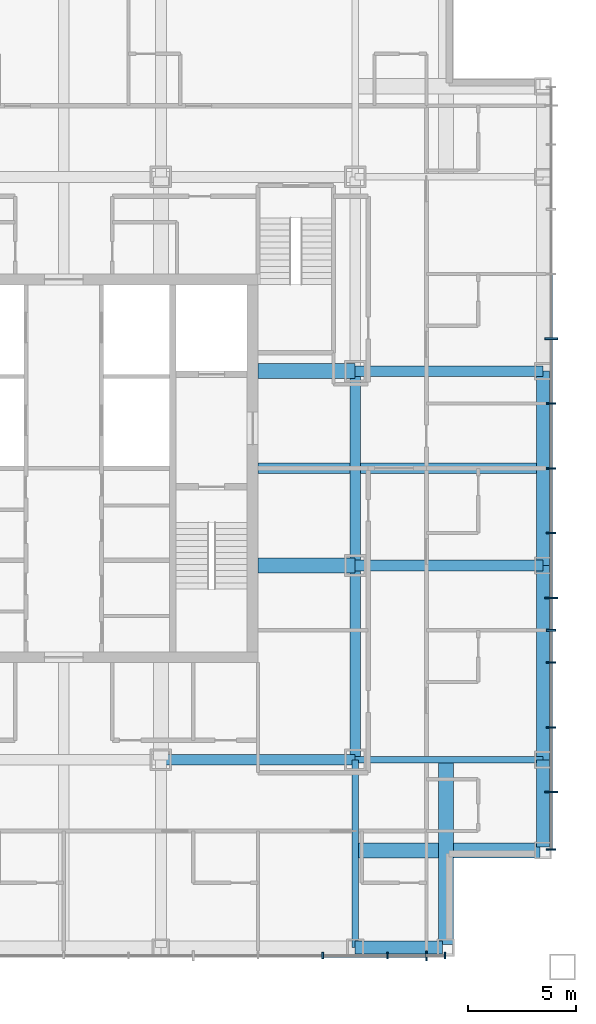
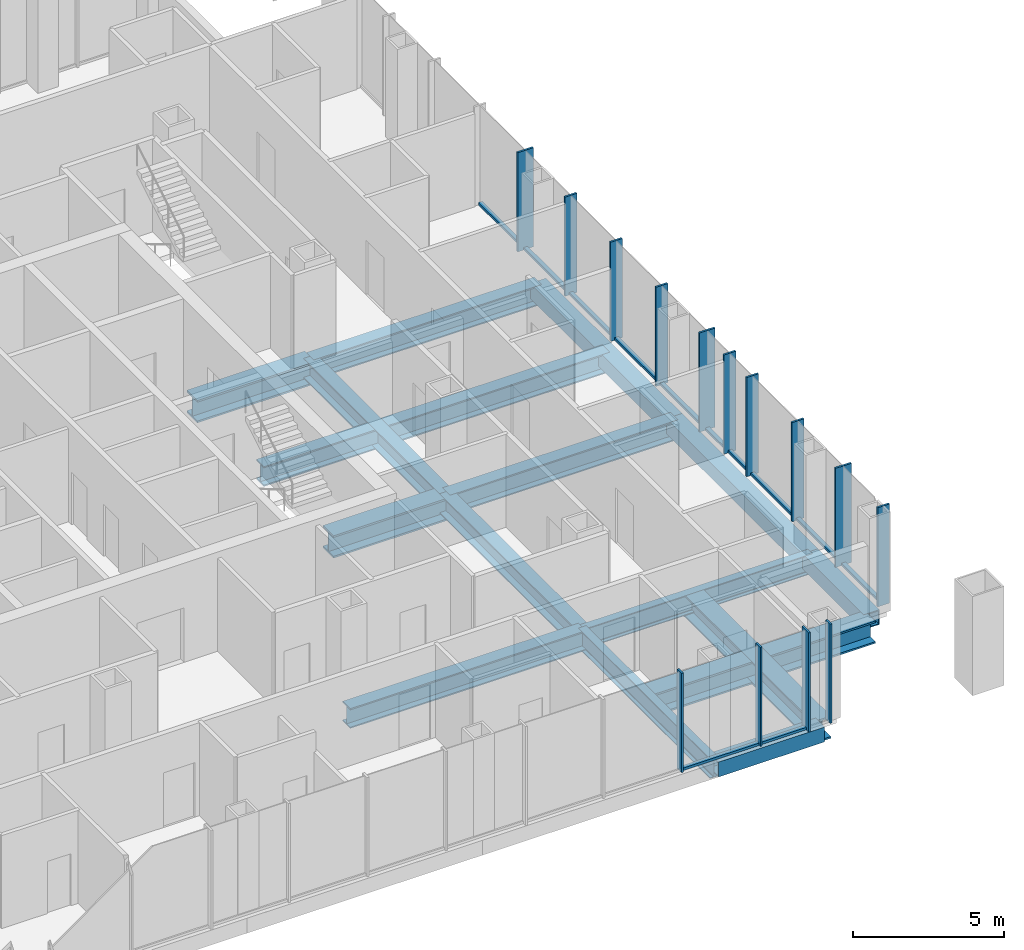
# One storey, part 3 of 11: 26 members, 16 beams, 2 elements without a shape of their own.
"""IFC4 building model written with IfcOpenShell, lengths in metres."""

from ifc_helpers import new_model, si_unit, direction, frame, origin, origin_2d, place, context, subcontext, project, spatial, rectangle, hollow_rectangle, i_section, extrude, material, layer, layer_set, material_profile, profile_set, type_object, element, aggregate, save


model = new_model("IFC4")

# Units and contexts
model_context = context("Model", 3, precision=1e-05, world=origin(), true_north=direction((0.0, 1.0)))
body_context = subcontext(model_context, "Body", "Model", "MODEL_VIEW")
ifc_project = project(units=[si_unit("LENGTHUNIT", "METRE"), si_unit("AREAUNIT", "SQUARE_METRE"), si_unit("VOLUMEUNIT", "CUBIC_METRE"), si_unit("PLANEANGLEUNIT", "RADIAN"), si_unit("MASSUNIT", "GRAM", prefix="KILO")], contexts=[model_context])

# Site, building, storey
site_placement = place(None, origin())
site = spatial("IfcSite", under=ifc_project, at=site_placement, CompositionType="ELEMENT")
building_placement = place(site_placement, origin())
building = spatial("IfcBuilding", under=site, at=building_placement, Name="Malebo Sky Hospital", CompositionType="ELEMENT")
storey_placement = place(building_placement, frame((0.0, 0.0, 213.0)))
storey = spatial("IfcBuildingStorey", under=building, at=storey_placement, Name="L51", CompositionType="ELEMENT", Elevation=213.0)

# Curtain wall, members
ifc_material_1 = material(Name="Anodised aluminium, natural silver", Category="aluminium")
ifc_layer_1 = layer(ifc_material_1, 0.25)
ifc_layer_set_1 = layer_set([ifc_layer_1], Name="WARD CURTAIN WALL NORTH AND SOUTH")
curtain_wall_type_1 = type_object("IfcCurtainWallType", Name="WARD CURTAIN WALL NORTH AND SOUTH", PredefinedType="NOTDEFINED", material=ifc_layer_set_1)
curtain_wall_1_placement = place(storey_placement, origin())
curtain_wall_1 = element("IfcCurtainWall", 1, at=curtain_wall_1_placement, inside=storey, type_object=curtain_wall_type_1, Name="NS curtain wall S", PredefinedType="NOTDEFINED")
ifc_material_profile_1 = material_profile(ifc_material_1, rectangle(XDim=0.14990234375, YDim=0.10009765625, at=origin_2d()), Name="ALUMINIUM TRANSOM 150x100")
ifc_profile_set_1 = profile_set([ifc_material_profile_1], Name="Anodised aluminium, natural silver")
member_type_1 = type_object("IfcMemberType", Name="ALUMINIUM TRANSOM 150x100", PredefinedType="USERDEFINED", material=ifc_profile_set_1)
member_1_placement = place(storey_placement, frame((76.762451171875, 39.425048828125, 0.050048828125), z_axis=(-1.0, 0.0, 0.0), x_axis=(0.0, -1.0, 0.0)))
member_1 = element("IfcMember", 2, at=member_1_placement, type_object=member_type_1, Name="Transom 2", ObjectType="TRANSOM", PredefinedType="USERDEFINED", context=body_context, shape_type="SweptSolid", body=[
    extrude(rectangle(XDim=0.14990234375, YDim=0.10009765625, at=origin_2d()), origin(), (0.0, 0.0, 1.0), 1.724853515625),
])
member_2_placement = place(storey_placement, frame((74.96240234375, 39.425048828125, 0.050048828125), z_axis=(-1.0, 0.0, 0.0), x_axis=(0.0, -1.0, 0.0)))
member_2 = element("IfcMember", 3, at=member_2_placement, type_object=member_type_1, Name="Transom 3", ObjectType="TRANSOM", PredefinedType="USERDEFINED", context=body_context, shape_type="SweptSolid", body=[
    extrude(rectangle(XDim=0.14990234375, YDim=0.10009765625, at=origin_2d()), origin(), (0.0, 0.0, 1.0), 2.9248046875),
])

ifc_layer_2 = layer(ifc_material_1, 0.25)
ifc_layer_set_2 = layer_set([ifc_layer_2], Name="WARD CURTAIN WALL EAST AND WEST")
curtain_wall_type_2 = type_object("IfcCurtainWallType", Name="WARD CURTAIN WALL EAST AND WEST", PredefinedType="NOTDEFINED", material=ifc_layer_set_2)
curtain_wall_2_placement = place(storey_placement, origin())
curtain_wall_2 = element("IfcCurtainWall", 4, at=curtain_wall_2_placement, inside=storey, type_object=curtain_wall_type_2, Name="EW curtain wall E", PredefinedType="NOTDEFINED")
member_3_placement = place(storey_placement, frame((82.574951171875, 70.96240234375, 0.050048828125), z_axis=(0.0, -1.0, 0.0), x_axis=(1.0, 0.0, 0.0)))
member_3 = element("IfcMember", 5, at=member_3_placement, type_object=member_type_1, Name="Transom 5", ObjectType="TRANSOM", PredefinedType="USERDEFINED", context=body_context, shape_type="SweptSolid", body=[
    extrude(rectangle(XDim=0.14990234375, YDim=0.10009765625, at=origin_2d()), origin(), (0.0, 0.0, 1.0), 2.9248046875),
])
member_4_placement = place(storey_placement, frame((82.574951171875, 67.96240234375, 0.050048828125), z_axis=(0.0, -1.0, 0.0), x_axis=(1.0, 0.0, 0.0)))
member_4 = element("IfcMember", 6, at=member_4_placement, type_object=member_type_1, Name="Transom 6", ObjectType="TRANSOM", PredefinedType="USERDEFINED", context=body_context, shape_type="SweptSolid", body=[
    extrude(rectangle(XDim=0.14990234375, YDim=0.10009765625, at=origin_2d()), origin(), (0.0, 0.0, 1.0), 2.9248046875),
])
member_5_placement = place(storey_placement, frame((82.574951171875, 64.96240234375, 0.050048828125), z_axis=(0.0, -1.0, 0.0), x_axis=(1.0, 0.0, 0.0)))
member_5 = element("IfcMember", 7, at=member_5_placement, type_object=member_type_1, Name="Transom 7", ObjectType="TRANSOM", PredefinedType="USERDEFINED", context=body_context, shape_type="SweptSolid", body=[
    extrude(rectangle(XDim=0.14990234375, YDim=0.10009765625, at=origin_2d()), origin(), (0.0, 0.0, 1.0), 2.9248046875),
])
member_6_placement = place(storey_placement, frame((82.574951171875, 61.96240234375, 0.050048828125), z_axis=(0.0, -1.0, 0.0), x_axis=(1.0, 0.0, 0.0)))
member_6 = element("IfcMember", 8, at=member_6_placement, type_object=member_type_1, Name="Transom 8", ObjectType="TRANSOM", PredefinedType="USERDEFINED", context=body_context, shape_type="SweptSolid", body=[
    extrude(rectangle(XDim=0.14990234375, YDim=0.10009765625, at=origin_2d()), origin(), (0.0, 0.0, 1.0), 2.9248046875),
])
member_7_placement = place(storey_placement, frame((82.574951171875, 58.96240234375, 0.050048828125), z_axis=(0.0, -1.0, 0.0), x_axis=(1.0, 0.0, 0.0)))
member_7 = element("IfcMember", 9, at=member_7_placement, type_object=member_type_1, Name="Transom 9", ObjectType="TRANSOM", PredefinedType="USERDEFINED", context=body_context, shape_type="SweptSolid", body=[
    extrude(rectangle(XDim=0.14990234375, YDim=0.10009765625, at=origin_2d()), origin(), (0.0, 0.0, 1.0), 2.9248046875),
])
member_8_placement = place(storey_placement, frame((82.574951171875, 55.96240234375, 0.050048828125), z_axis=(0.0, -1.0, 0.0), x_axis=(1.0, 0.0, 0.0)))
member_8 = element("IfcMember", 10, at=member_8_placement, type_object=member_type_1, Name="Transom 10", ObjectType="TRANSOM", PredefinedType="USERDEFINED", context=body_context, shape_type="SweptSolid", body=[
    extrude(rectangle(XDim=0.14990234375, YDim=0.10009765625, at=origin_2d()), origin(), (0.0, 0.0, 1.0), 1.4248046875),
])
member_9_placement = place(storey_placement, frame((82.574951171875, 54.46240234375, 0.050048828125), z_axis=(0.0, -1.0, 0.0), x_axis=(1.0, 0.0, 0.0)))
member_9 = element("IfcMember", 11, at=member_9_placement, type_object=member_type_1, Name="Transom 11", ObjectType="TRANSOM", PredefinedType="USERDEFINED", context=body_context, shape_type="SweptSolid", body=[
    extrude(rectangle(XDim=0.14990234375, YDim=0.10009765625, at=origin_2d()), origin(), (0.0, 0.0, 1.0), 1.4248046875),
])
member_10_placement = place(storey_placement, frame((82.574951171875, 52.96240234375, 0.050048828125), z_axis=(0.0, -1.0, 0.0), x_axis=(1.0, 0.0, 0.0)))
member_10 = element("IfcMember", 12, at=member_10_placement, type_object=member_type_1, Name="Transom 12", ObjectType="TRANSOM", PredefinedType="USERDEFINED", context=body_context, shape_type="SweptSolid", body=[
    extrude(rectangle(XDim=0.14990234375, YDim=0.10009765625, at=origin_2d()), origin(), (0.0, 0.0, 1.0), 2.9248046875),
])
member_11_placement = place(storey_placement, frame((82.574951171875, 49.96240234375, 0.050048828125), z_axis=(0.0, -1.0, 0.0), x_axis=(1.0, 0.0, 0.0)))
member_11 = element("IfcMember", 13, at=member_11_placement, type_object=member_type_1, Name="Transom 13", ObjectType="TRANSOM", PredefinedType="USERDEFINED", context=body_context, shape_type="SweptSolid", body=[
    extrude(rectangle(XDim=0.14990234375, YDim=0.10009765625, at=origin_2d()), origin(), (0.0, 0.0, 1.0), 2.9248046875),
])
member_12_placement = place(storey_placement, frame((82.574951171875, 46.96240234375, 0.050048828125), z_axis=(0.0, -1.0, 0.0), x_axis=(1.0, 0.0, 0.0)))
member_12 = element("IfcMember", 14, at=member_12_placement, type_object=member_type_1, Name="Transom 14", ObjectType="TRANSOM", PredefinedType="USERDEFINED", context=body_context, shape_type="SweptSolid", body=[
    extrude(rectangle(XDim=0.14990234375, YDim=0.10009765625, at=origin_2d()), origin(), (0.0, 0.0, 1.0), 2.58740234375),
])

# Member
ifc_material_profile_2 = material_profile(ifc_material_1, rectangle(XDim=0.074951171875, YDim=0.300048828125, at=origin_2d()), Name="CW1 ALUMINIUM FIN MULLION 75x300")
ifc_profile_set_2 = profile_set([ifc_material_profile_2], Name="Anodised aluminium, natural silver")
member_type_2 = type_object("IfcMemberType", Name="CW1 ALUMINIUM FIN MULLION 75x300", PredefinedType="MULLION", material=ifc_profile_set_2)
member_13_placement = place(storey_placement, frame((77.66259765625, 39.425048828125, 0.0), z_axis=(0.0, 0.0, 1.0), x_axis=(-1.0, 0.0, 0.0)))
member_13 = element("IfcMember", 15, at=member_13_placement, type_object=member_type_2, Name="Fin mullion 1", PredefinedType="MULLION", context=body_context, shape_type="SweptSolid", body=[
    extrude(rectangle(XDim=0.074951171875, YDim=0.300048828125, at=origin_2d()), origin(), (0.0, 0.0, 1.0), 4.0),
])

member_14_placement = place(storey_placement, frame((75.0, 39.425048828125, 0.0), z_axis=(0.0, 0.0, 1.0), x_axis=(-1.0, 0.0, 0.0)))
member_14 = element("IfcMember", 16, at=member_14_placement, type_object=member_type_2, Name="Fin mullion 3", PredefinedType="MULLION", context=body_context, shape_type="SweptSolid", body=[
    extrude(rectangle(XDim=0.074951171875, YDim=0.300048828125, at=origin_2d()), origin(), (0.0, 0.0, 1.0), 4.0),
])

member_15_placement = place(storey_placement, frame((72.0, 39.425048828125, 0.0), z_axis=(0.0, 0.0, 1.0), x_axis=(-1.0, 0.0, 0.0)))
member_15 = element("IfcMember", 17, at=member_15_placement, type_object=member_type_2, Name="Fin mullion 4", PredefinedType="MULLION", context=body_context, shape_type="SweptSolid", body=[
    extrude(rectangle(XDim=0.074951171875, YDim=0.300048828125, at=origin_2d()), origin(), (0.0, 0.0, 1.0), 4.0),
])

ifc_material_profile_3 = material_profile(ifc_material_1, rectangle(XDim=0.074951171875, YDim=0.449951171875, at=origin_2d()), Name="CW1 ALUMINIUM FIN MULLION 75x450")
ifc_profile_set_3 = profile_set([ifc_material_profile_3], Name="Anodised aluminium, natural silver")
member_type_3 = type_object("IfcMemberType", Name="CW1 ALUMINIUM FIN MULLION 75x450", PredefinedType="MULLION", material=ifc_profile_set_3)
member_16_placement = place(storey_placement, frame((76.800048828125, 39.425048828125, 0.0), z_axis=(0.0, 0.0, 1.0), x_axis=(-1.0, 0.0, 0.0)))
member_16 = element("IfcMember", 18, at=member_16_placement, type_object=member_type_3, Name="Fin mullion 2", PredefinedType="MULLION", context=body_context, shape_type="SweptSolid", body=[
    extrude(rectangle(XDim=0.074951171875, YDim=0.449951171875, at=origin_2d()), origin(), (0.0, 0.0, 1.0), 4.0),
])

aggregate(curtain_wall_1, [member_13, member_16, member_14, member_15, member_1, member_2])

ifc_material_profile_4 = material_profile(ifc_material_1, rectangle(XDim=0.074951171875, YDim=0.449951171875, at=origin_2d()), Name="CW2 ALUMINIUM FIN MULLION 75x450")
ifc_profile_set_4 = profile_set([ifc_material_profile_4], Name="Anodised aluminium, natural silver")
member_type_4 = type_object("IfcMemberType", Name="CW2 ALUMINIUM FIN MULLION 75x450", PredefinedType="MULLION", material=ifc_profile_set_4)
member_17_placement = place(storey_placement, frame((82.574951171875, 65.0, 0.0), z_axis=(0.0, 0.0, 1.0), x_axis=(0.0, -1.0, 0.0)))
member_17 = element("IfcMember", 19, at=member_17_placement, type_object=member_type_4, Name="Fin mullion 7", PredefinedType="MULLION", context=body_context, shape_type="SweptSolid", body=[
    extrude(rectangle(XDim=0.074951171875, YDim=0.449951171875, at=origin_2d()), origin(), (0.0, 0.0, 1.0), 4.0),
])

member_18_placement = place(storey_placement, frame((82.574951171875, 62.0, 0.0), z_axis=(0.0, 0.0, 1.0), x_axis=(0.0, -1.0, 0.0)))
member_18 = element("IfcMember", 20, at=member_18_placement, type_object=member_type_4, Name="Fin mullion 8", PredefinedType="MULLION", context=body_context, shape_type="SweptSolid", body=[
    extrude(rectangle(XDim=0.074951171875, YDim=0.449951171875, at=origin_2d()), origin(), (0.0, 0.0, 1.0), 4.0),
])

member_19_placement = place(storey_placement, frame((82.574951171875, 59.0, 0.0), z_axis=(0.0, 0.0, 1.0), x_axis=(0.0, -1.0, 0.0)))
member_19 = element("IfcMember", 21, at=member_19_placement, type_object=member_type_4, Name="Fin mullion 9", PredefinedType="MULLION", context=body_context, shape_type="SweptSolid", body=[
    extrude(rectangle(XDim=0.074951171875, YDim=0.449951171875, at=origin_2d()), origin(), (0.0, 0.0, 1.0), 4.0),
])

member_20_placement = place(storey_placement, frame((82.574951171875, 54.5, 0.0), z_axis=(0.0, 0.0, 1.0), x_axis=(0.0, -1.0, 0.0)))
member_20 = element("IfcMember", 22, at=member_20_placement, type_object=member_type_4, Name="Fin mullion 11", PredefinedType="MULLION", context=body_context, shape_type="SweptSolid", body=[
    extrude(rectangle(XDim=0.074951171875, YDim=0.449951171875, at=origin_2d()), origin(), (0.0, 0.0, 1.0), 4.0),
])

member_21_placement = place(storey_placement, frame((82.574951171875, 53.0, 0.0), z_axis=(0.0, 0.0, 1.0), x_axis=(0.0, -1.0, 0.0)))
member_21 = element("IfcMember", 23, at=member_21_placement, type_object=member_type_4, Name="Fin mullion 12", PredefinedType="MULLION", context=body_context, shape_type="SweptSolid", body=[
    extrude(rectangle(XDim=0.074951171875, YDim=0.449951171875, at=origin_2d()), origin(), (0.0, 0.0, 1.0), 4.0),
])

member_22_placement = place(storey_placement, frame((82.574951171875, 50.0, 0.0), z_axis=(0.0, 0.0, 1.0), x_axis=(0.0, -1.0, 0.0)))
member_22 = element("IfcMember", 24, at=member_22_placement, type_object=member_type_4, Name="Fin mullion 13", PredefinedType="MULLION", context=body_context, shape_type="SweptSolid", body=[
    extrude(rectangle(XDim=0.074951171875, YDim=0.449951171875, at=origin_2d()), origin(), (0.0, 0.0, 1.0), 4.0),
])

member_23_placement = place(storey_placement, frame((82.574951171875, 44.33740234375, 0.0), z_axis=(0.0, 0.0, 1.0), x_axis=(0.0, -1.0, 0.0)))
member_23 = element("IfcMember", 25, at=member_23_placement, type_object=member_type_4, Name="Fin mullion 15", PredefinedType="MULLION", context=body_context, shape_type="SweptSolid", body=[
    extrude(rectangle(XDim=0.074951171875, YDim=0.449951171875, at=origin_2d()), origin(), (0.0, 0.0, 1.0), 4.0),
])

ifc_material_profile_5 = material_profile(ifc_material_1, rectangle(XDim=0.074951171875, YDim=0.60009765625, at=origin_2d()), Name="CW2 ALUMINIUM FIN MULLION 75x600")
ifc_profile_set_5 = profile_set([ifc_material_profile_5], Name="Anodised aluminium, natural silver")
member_type_5 = type_object("IfcMemberType", Name="CW2 ALUMINIUM FIN MULLION 75x600", PredefinedType="MULLION", material=ifc_profile_set_5)
member_24_placement = place(storey_placement, frame((82.574951171875, 68.0, 0.0), z_axis=(0.0, 0.0, 1.0), x_axis=(0.0, -1.0, 0.0)))
member_24 = element("IfcMember", 26, at=member_24_placement, type_object=member_type_5, Name="Fin mullion 6", PredefinedType="MULLION", context=body_context, shape_type="SweptSolid", body=[
    extrude(rectangle(XDim=0.074951171875, YDim=0.60009765625, at=origin_2d()), origin(), (0.0, 0.0, 1.0), 4.0),
])

member_25_placement = place(storey_placement, frame((82.574951171875, 56.0, 0.0), z_axis=(0.0, 0.0, 1.0), x_axis=(0.0, -1.0, 0.0)))
member_25 = element("IfcMember", 27, at=member_25_placement, type_object=member_type_5, Name="Fin mullion 10", PredefinedType="MULLION", context=body_context, shape_type="SweptSolid", body=[
    extrude(rectangle(XDim=0.074951171875, YDim=0.60009765625, at=origin_2d()), origin(), (0.0, 0.0, 1.0), 4.0),
])

member_26_placement = place(storey_placement, frame((82.574951171875, 47.0, 0.0), z_axis=(0.0, 0.0, 1.0), x_axis=(0.0, -1.0, 0.0)))
member_26 = element("IfcMember", 28, at=member_26_placement, type_object=member_type_5, Name="Fin mullion 14", PredefinedType="MULLION", context=body_context, shape_type="SweptSolid", body=[
    extrude(rectangle(XDim=0.074951171875, YDim=0.60009765625, at=origin_2d()), origin(), (0.0, 0.0, 1.0), 4.0),
])

aggregate(curtain_wall_2, [member_24, member_17, member_18, member_19, member_25, member_20, member_21, member_22, member_26, member_23, member_3, member_4, member_5, member_6, member_7, member_8, member_9, member_10, member_11, member_12])

# Beams
ifc_material_2 = material(Name="Steel S460", Category="steel")
ifc_material_profile_6 = material_profile(ifc_material_2, hollow_rectangle(XDim=0.60009765625, YDim=0.60009765625, WallThickness=0.0400390625, at=origin_2d()), Name="BOX 600x600x40")
ifc_profile_set_6 = profile_set([ifc_material_profile_6], Name="Steel S460")
beam_type_1 = type_object("IfcBeamType", Name="EDGE BEAM BOX 600x600x40", PredefinedType="BEAM", material=ifc_profile_set_6)
beam_1_placement = place(storey_placement, frame((82.199951171875, 44.449951171875, -0.550048828125), z_axis=(0.0, 1.0, 0.0), x_axis=(-1.0, 0.0, 0.0)))
element("IfcBeam", 29, at=beam_1_placement, inside=storey, type_object=beam_type_1, Name="Beam 029 L51", PredefinedType="BEAM", context=body_context, shape_type="SweptSolid", body=[
    extrude(hollow_rectangle(XDim=0.60009765625, YDim=0.60009765625, WallThickness=0.0400390625, at=origin_2d()), origin(), (0.0, 0.0, 1.0), 4.050048828125),
])
for number, where, z_axis, x_axis, name in (
    (30, (82.199951171875, 48.5, -0.550048828125), (0.0, 1.0, 0.0), (-1.0, 0.0, 0.0), "Beam 030 L51"),
    (31, (82.199951171875, 57.5, -0.550048828125), (0.0, 1.0, 0.0), (-1.0, 0.0, 0.0), "Beam 031 L51"),
):
    element("IfcBeam", number, at=place(storey_placement, frame(where, z_axis=z_axis, x_axis=x_axis)), inside=storey, type_object=beam_type_1, Name=name, PredefinedType="BEAM", context=body_context, shape_type="SweptSolid", body=[
        extrude(hollow_rectangle(XDim=0.60009765625, YDim=0.60009765625, WallThickness=0.0400390625, at=origin_2d()), origin(), (0.0, 0.0, 1.0), 9.0),
    ])
beam_2_placement = place(storey_placement, frame((73.5, 39.800048828125, -0.550048828125), z_axis=(1.0, 0.0, 0.0), x_axis=(0.0, 1.0, 0.0)))
element("IfcBeam", 32, at=beam_2_placement, inside=storey, type_object=beam_type_1, Name="Beam 038 L51", PredefinedType="BEAM", context=body_context, shape_type="SweptSolid", body=[
    extrude(hollow_rectangle(XDim=0.60009765625, YDim=0.60009765625, WallThickness=0.0400390625, at=origin_2d()), origin(), (0.0, 0.0, 1.0), 4.050048828125),
])
ifc_material_3 = material(Name="Steel S355", Category="steel")
ifc_material_profile_7 = material_profile(ifc_material_3, i_section(OverallWidth=0.5, OverallDepth=0.800048828125, WebThickness=0.030029296875, FlangeThickness=0.050048828125, at=origin_2d()), Name="PG 800x500x30x50")
ifc_profile_set_7 = profile_set([ifc_material_profile_7], Name="Steel S355")
beam_type_2 = type_object("IfcBeamType", Name="FLOOR BEAM PG 800x500x30x50", PredefinedType="BEAM", material=ifc_profile_set_7)
for number, where, z_axis, x_axis, name in (
    (33, (73.5, 48.5, -0.64990234375), (0.0, 1.0, 0.0), (-1.0, 0.0, 0.0), "Beam 023 L51"),
    (34, (64.5, 48.5, -0.64990234375), (1.0, 0.0, 0.0), (0.0, 1.0, 0.0), "Beam 044 L51"),
):
    element("IfcBeam", number, at=place(storey_placement, frame(where, z_axis=z_axis, x_axis=x_axis)), inside=storey, type_object=beam_type_2, Name=name, PredefinedType="BEAM", context=body_context, shape_type="SweptSolid", body=[
        extrude(i_section(OverallWidth=0.5, OverallDepth=0.800048828125, WebThickness=0.030029296875, FlangeThickness=0.050048828125, at=origin_2d()), origin(), (0.0, 0.0, 1.0), 9.0),
    ])
beam_3_placement = place(storey_placement, frame((73.5, 57.5, -0.64990234375), z_axis=(1.0, 0.0, 0.0), x_axis=(0.0, 1.0, 0.0)))
element("IfcBeam", 35, at=beam_3_placement, inside=storey, type_object=beam_type_2, Name="Beam 049 L51", PredefinedType="BEAM", context=body_context, shape_type="SweptSolid", body=[
    extrude(i_section(OverallWidth=0.5, OverallDepth=0.800048828125, WebThickness=0.030029296875, FlangeThickness=0.050048828125, at=origin_2d()), origin(), (0.0, 0.0, 1.0), 8.699951171875),
])
beam_4_placement = place(storey_placement, frame((69.0, 62.0, -0.64990234375), z_axis=(1.0, 0.0, 0.0), x_axis=(0.0, 1.0, 0.0)))
element("IfcBeam", 36, at=beam_4_placement, inside=storey, type_object=beam_type_2, Name="Beam 051 L51", PredefinedType="BEAM", context=body_context, shape_type="SweptSolid", body=[
    extrude(i_section(OverallWidth=0.5, OverallDepth=0.800048828125, WebThickness=0.030029296875, FlangeThickness=0.050048828125, at=origin_2d()), origin(), (0.0, 0.0, 1.0), 13.199951171875),
])
beam_5_placement = place(storey_placement, frame((73.5, 66.5, -0.64990234375), z_axis=(1.0, 0.0, 0.0), x_axis=(0.0, 1.0, 0.0)))
element("IfcBeam", 37, at=beam_5_placement, inside=storey, type_object=beam_type_2, Name="Beam 055 L51", PredefinedType="BEAM", context=body_context, shape_type="SweptSolid", body=[
    extrude(i_section(OverallWidth=0.5, OverallDepth=0.800048828125, WebThickness=0.030029296875, FlangeThickness=0.050048828125, at=origin_2d()), origin(), (0.0, 0.0, 1.0), 8.699951171875),
])
ifc_material_profile_8 = material_profile(ifc_material_3, i_section(OverallWidth=0.699951171875, OverallDepth=0.89990234375, WebThickness=0.0400390625, FlangeThickness=0.070068359375, at=origin_2d()), Name="PG 900x700x40x70")
ifc_profile_set_8 = profile_set([ifc_material_profile_8], Name="Steel S355")
beam_type_3 = type_object("IfcBeamType", Name="FLOOR BEAM PG 900x700x40x70", PredefinedType="BEAM", material=ifc_profile_set_8)
for number, where, z_axis, x_axis, name in (
    (38, (77.699951171875, 39.949951171875, -0.699951171875), (0.0, 1.0, 0.0), (-1.0, 0.0, 0.0), "Beam 027 L51"),
    (39, (73.5, 44.300048828125, -0.699951171875), (1.0, 0.0, 0.0), (0.0, 1.0, 0.0), "Beam 040 L51"),
):
    element("IfcBeam", number, at=place(storey_placement, frame(where, z_axis=z_axis, x_axis=x_axis)), inside=storey, type_object=beam_type_3, Name=name, PredefinedType="BEAM", context=body_context, shape_type="SweptSolid", body=[
        extrude(i_section(OverallWidth=0.699951171875, OverallDepth=0.89990234375, WebThickness=0.0400390625, FlangeThickness=0.070068359375, at=origin_2d()), origin(), (0.0, 0.0, 1.0), 8.550048828125),
    ])
for number, where, z_axis, x_axis, name in (
    (40, (69.0, 57.5, -0.699951171875), (1.0, 0.0, 0.0), (0.0, 1.0, 0.0), "Beam 048 L51"),
    (41, (69.0, 66.5, -0.699951171875), (1.0, 0.0, 0.0), (0.0, 1.0, 0.0), "Beam 054 L51"),
):
    element("IfcBeam", number, at=place(storey_placement, frame(where, z_axis=z_axis, x_axis=x_axis)), inside=storey, type_object=beam_type_3, Name=name, PredefinedType="BEAM", context=body_context, shape_type="SweptSolid", body=[
        extrude(i_section(OverallWidth=0.699951171875, OverallDepth=0.89990234375, WebThickness=0.0400390625, FlangeThickness=0.070068359375, at=origin_2d()), origin(), (0.0, 0.0, 1.0), 4.5),
    ])
ifc_material_profile_9 = material_profile(ifc_material_3, i_section(OverallWidth=0.300048828125, OverallDepth=0.800048828125, WebThickness=0.017578125, FlangeThickness=0.032958984375, FilletRadius=0.030029296875, at=origin_2d()), Name="HEB 800")
ifc_profile_set_9 = profile_set([ifc_material_profile_9], Name="Steel S355")
beam_type_4 = type_object("IfcBeamType", Name="FLOOR GIRDER HEB 800", PredefinedType="BEAM", material=ifc_profile_set_9)
for number, where, z_axis, x_axis, name in (
    (42, (73.5, 39.800048828125, -0.64990234375), (0.0, 1.0, 0.0), (-1.0, 0.0, 0.0), "Beam 022 L51"),
    (43, (73.5, 48.5, -0.64990234375), (1.0, 0.0, 0.0), (0.0, 1.0, 0.0), "Beam 045 L51"),
):
    element("IfcBeam", number, at=place(storey_placement, frame(where, z_axis=z_axis, x_axis=x_axis)), inside=storey, type_object=beam_type_4, Name=name, PredefinedType="BEAM", context=body_context, shape_type="SweptSolid", body=[
        extrude(i_section(OverallWidth=0.300048828125, OverallDepth=0.800048828125, WebThickness=0.017578125, FlangeThickness=0.032958984375, FilletRadius=0.030029296875, at=origin_2d()), origin(), (0.0, 0.0, 1.0), 8.699951171875),
    ])
ifc_material_profile_10 = material_profile(ifc_material_3, i_section(OverallWidth=0.5, OverallDepth=0.800048828125, WebThickness=0.030029296875, FlangeThickness=0.050048828125, at=origin_2d()), Name="PG 800x500x30x50")
ifc_profile_set_10 = profile_set([ifc_material_profile_10], Name="Steel S355")
beam_type_5 = type_object("IfcBeamType", Name="RING GIRDER PG 800x500x30x50", PredefinedType="BEAM", material=ifc_profile_set_10)
beam_6_placement = place(storey_placement, frame((73.5, 57.5, -0.64990234375), z_axis=(0.0, 1.0, 0.0), x_axis=(-1.0, 0.0, 0.0)))
element("IfcBeam", 44, at=beam_6_placement, inside=storey, type_object=beam_type_5, Name="Beam 024 L51", PredefinedType="BEAM", context=body_context, shape_type="SweptSolid", body=[
    extrude(i_section(OverallWidth=0.5, OverallDepth=0.800048828125, WebThickness=0.030029296875, FlangeThickness=0.050048828125, at=origin_2d()), origin(), (0.0, 0.0, 1.0), 9.0),
])

save(model, "model.ifc")
